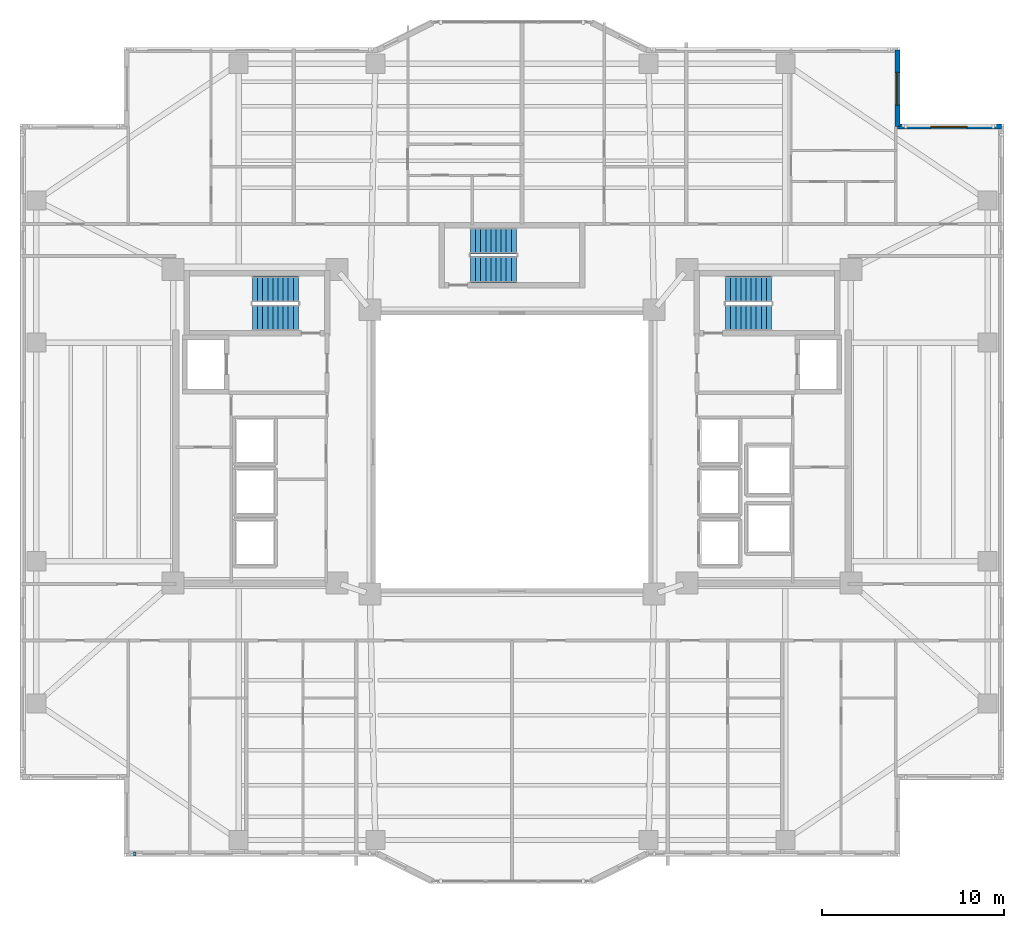
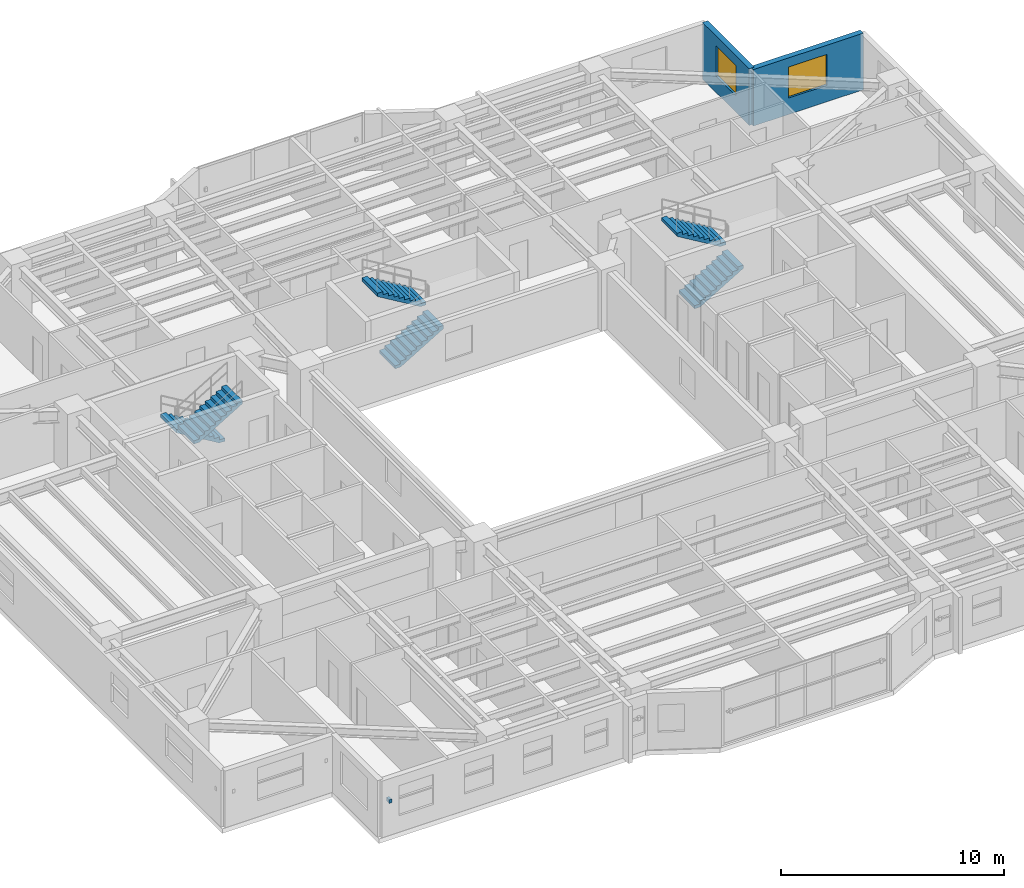
# One storey, part 11 of 18: 6 stair flights, 2 walls, 2 windows, 1 discrete accessory, 2 openings, 3 elements without a shape of their own.
"""IFC4 building model written with IfcOpenShell, lengths in metres."""

import ifcopenshell
import ifcopenshell.guid

model = None  # the IFC model being written
_history = None  # IfcOwnerHistory: only IFC2X3 demands one
_inside = {}  # id of a spatial element -> (the spatial element, [elements in it])
_under = {}  # id of a project, library or spatial element -> (it, [spatial elements below it])
_declared = {}  # id of a project -> (the project, [libraries it declares])
_typed = {}  # id of a type object -> (the type object, [elements of that type])
_made_of = {}  # id of a material, layer set ... -> (it, [elements and type objects made of it])


def new_model(schema):
    """Start an empty IFC model of exactly this schema.

    Asked for "IFC4X3", IfcOpenShell would pick the latest addendum, in which some entities
    have other attributes; the version numbers below select the first issue.
    IFC2X3 requires an IfcOwnerHistory on every rooted entity: one is made here for all.
    """
    global model, _history
    if schema == "IFC4X3":
        model = ifcopenshell.file(schema_version=(4, 3, 0, 0))
    else:
        model = ifcopenshell.file(schema=schema)
    _inside.clear()
    _under.clear()
    _declared.clear()
    _typed.clear()
    _made_of.clear()
    _history = None
    if model.schema == "IFC2X3":
        org = make("IfcOrganization", Name="unknown")
        user = make(
            "IfcPersonAndOrganization",
            ThePerson=make("IfcPerson", FamilyName="unknown"),
            TheOrganization=org,
        )
        app = make(
            "IfcApplication",
            ApplicationDeveloper=org,
            Version="unknown",
            ApplicationFullName="unknown",
            ApplicationIdentifier="unknown",
        )
        _history = make(
            "IfcOwnerHistory",
            OwningUser=user,
            OwningApplication=app,
            ChangeAction="ADDED",
            CreationDate=0,
        )
    return model


def make(cls, **values):
    """One entity of the class cls with the attributes given. An attribute that is None is left unset."""
    return model.create_entity(
        cls, **{name: value for name, value in values.items() if value is not None}
    )


def rooted(cls, **values):
    """An entity with a GlobalId (a new one), such as an element, a storey or a relation."""
    return make(cls, GlobalId=ifcopenshell.guid.new(), OwnerHistory=_history, **values)


def si_unit(unit_type, name, prefix=None):
    """IfcSIUnit, for example si_unit("LENGTHUNIT", "METRE", prefix="MILLI")."""
    return make("IfcSIUnit", UnitType=unit_type, Prefix=prefix, Name=name)


def assignment(units):
    """IfcUnitAssignment: the units of a project."""
    return None if units is None else make("IfcUnitAssignment", Units=units)


def point(xyz):
    """IfcCartesianPoint."""
    return None if xyz is None else make("IfcCartesianPoint", Coordinates=xyz)


def direction(xyz):
    """IfcDirection."""
    return None if xyz is None else make("IfcDirection", DirectionRatios=xyz)


def frame(location, z_axis=None, x_axis=None):
    """IfcAxis2Placement3D, a coordinate frame: its origin and axes. An axis left out is left unset."""
    return make(
        "IfcAxis2Placement3D",
        Location=point(location),
        Axis=direction(z_axis),
        RefDirection=direction(x_axis),
    )


def frame_2d(location, x_axis=None):
    """IfcAxis2Placement2D, a coordinate frame in the plane: its origin and x axis."""
    return make(
        "IfcAxis2Placement2D", Location=point(location), RefDirection=direction(x_axis)
    )


def origin():
    """The frame at (0, 0, 0) with its axes left unset."""
    return frame((0.0, 0.0, 0.0))


def origin_2d():
    """The frame at (0, 0) in the plane with its x axis left unset."""
    return frame_2d((0.0, 0.0))


def place(relative_to, where):
    """IfcLocalPlacement: puts the frame where relative to a parent placement (None: the world)."""
    return make(
        "IfcLocalPlacement", PlacementRelTo=relative_to, RelativePlacement=where
    )


def context(
    kind, dimensions, precision=None, world=None, true_north=None, identifier=None
):
    """IfcGeometricRepresentationContext, for example the 3D "Model" context."""
    return make(
        "IfcGeometricRepresentationContext",
        ContextIdentifier=identifier,
        ContextType=kind,
        CoordinateSpaceDimension=dimensions,
        Precision=precision,
        WorldCoordinateSystem=world,
        TrueNorth=true_north,
    )


def subcontext(parent, identifier, kind, view, scale=None):
    """IfcGeometricRepresentationSubContext, for example "Body" below "Model"."""
    return make(
        "IfcGeometricRepresentationSubContext",
        ContextIdentifier=identifier,
        ContextType=kind,
        ParentContext=parent,
        TargetScale=scale,
        TargetView=view,
    )


def project(units=None, contexts=None):
    """IfcProject with its units and contexts."""
    return rooted(
        "IfcProject",
        Name="project",
        RepresentationContexts=contexts,
        UnitsInContext=assignment(units),
    )


def spatial(cls, under=None, at=None, **own):
    """A site, building, storey or space (cls), placed at a placement, below another one or the project."""
    s = rooted(cls, ObjectPlacement=at, **own)
    if under is not None:
        _under.setdefault(under.id(), (under, []))[1].append(s)
    return s


def polyline(points):
    """IfcPolyline through the points."""
    return make("IfcPolyline", Points=[point(p) for p in points])


def profile(cls, at=None, kind="AREA", **sizes):
    """A parametric profile (cls). Its sizes go by their IFC names, for example OverallWidth=200.0."""
    return make(cls, ProfileType=kind, Position=at, **sizes)


def rectangle(**sizes):
    """IfcRectangleProfileDef."""
    return profile("IfcRectangleProfileDef", **sizes)


def outline(outer, holes=None, kind="AREA"):
    """IfcArbitraryClosedProfileDef: a profile drawn as a closed curve; with holes, ...WithVoids."""
    if holes is None:
        return make("IfcArbitraryClosedProfileDef", ProfileType=kind, OuterCurve=outer)
    return make(
        "IfcArbitraryProfileDefWithVoids",
        ProfileType=kind,
        OuterCurve=outer,
        InnerCurves=holes,
    )


def extrude(swept, where, along, depth):
    """IfcExtrudedAreaSolid: the profile swept, set in the frame where, extruded along a direction by depth."""
    return make(
        "IfcExtrudedAreaSolid",
        SweptArea=swept,
        Position=where,
        ExtrudedDirection=direction(along),
        Depth=depth,
    )


def shape(context_of_items, identifier, shape_type, items):
    """IfcShapeRepresentation: the items that make up one representation, for example the "Body"."""
    return make(
        "IfcShapeRepresentation",
        ContextOfItems=context_of_items,
        RepresentationIdentifier=identifier,
        RepresentationType=shape_type,
        Items=items,
    )


def material(Name=None, Category=None):
    """IfcMaterial."""
    return make("IfcMaterial", Name=Name, Category=Category)


def layer(
    of_material, thickness, ventilated=None, Name=None, Category=None, Priority=None
):
    """IfcMaterialLayer: one layer of a wall or slab, of a material (None: an air gap)."""
    return make(
        "IfcMaterialLayer",
        Material=of_material,
        LayerThickness=thickness,
        IsVentilated=ventilated,
        Name=Name,
        Category=Category,
        Priority=Priority,
    )


def layer_set(layers, Name=None):
    """IfcMaterialLayerSet."""
    return make("IfcMaterialLayerSet", MaterialLayers=layers, LayerSetName=Name)


def made_of(thing, what):
    """Note that an element or type object is made of a material, layer set ...; save() writes the relation."""
    if what is not None:
        _made_of.setdefault(what.id(), (what, []))[1].append(thing)
    return thing


def type_object(cls, material=None, **own):
    """A type object (cls), such as IfcWallType, which elements share."""
    return made_of(rooted(cls, **own), material)


def element(
    cls,
    number,
    at=None,
    inside=None,
    cuts=None,
    type_object=None,
    material=None,
    context=None,
    identifier="Body",
    shape_type=None,
    held_by="IfcProductDefinitionShape",
    body=None,
    shapes=None,
    **own,
):
    """One element of the class cls, such as IfcWall. Its Tag is "e" and its number.

    at: its placement. inside: the storey or other place that contains it. cuts: it is an
    opening in that element (IfcRelVoidsElement). A single representation is given by context,
    identifier, shape_type and body (its items); several are given by shapes. held_by: the class
    of the entity that holds the representations. save() writes the other relations.
    """
    e = rooted(cls, Tag="e%d" % number, ObjectPlacement=at, **own)
    if body is not None:
        shapes = [shape(context, identifier, shape_type, body)]
    if shapes is not None:
        e.Representation = make(held_by, Representations=shapes)
    if inside is not None:
        _inside.setdefault(inside.id(), (inside, []))[1].append(e)
    if cuts is not None:
        rooted(
            "IfcRelVoidsElement", RelatingBuildingElement=cuts, RelatedOpeningElement=e
        )
    if type_object is not None:
        _typed.setdefault(type_object.id(), (type_object, []))[1].append(e)
    return made_of(e, material)


def fill(opening, filler):
    """IfcRelFillsElement: the door or window that sits in an opening."""
    return rooted(
        "IfcRelFillsElement",
        RelatingOpeningElement=opening,
        RelatedBuildingElement=filler,
    )


def aggregate(whole, parts):
    """IfcRelAggregates: a whole, such as a stair, and the parts it consists of."""
    return rooted("IfcRelAggregates", RelatingObject=whole, RelatedObjects=parts)


def save(model, path):
    """Write the relations noted so far, then the file.

    IfcRelAggregates (storeys below a building ...), IfcRelContainedInSpatialStructure (elements
    in a storey), IfcRelDefinesByType, IfcRelAssociatesMaterial and IfcRelDeclares: one each for
    every whole, place, type object, material and project.
    """
    for whole, parts in _under.values():
        aggregate(whole, parts)
    for where, things in _inside.values():
        rooted(
            "IfcRelContainedInSpatialStructure",
            RelatedElements=things,
            RelatingStructure=where,
        )
    for kind, things in _typed.values():
        rooted("IfcRelDefinesByType", RelatedObjects=things, RelatingType=kind)
    for what, things in _made_of.values():
        rooted("IfcRelAssociatesMaterial", RelatedObjects=things, RelatingMaterial=what)
    for by, libraries in _declared.values():
        rooted("IfcRelDeclares", RelatingContext=by, RelatedDefinitions=libraries)
    model.write(path)


model = new_model("IFC4")

# Units and contexts
model_context = context("Model", 3, precision=1e-05, world=origin(), true_north=direction((0.0, 1.0)))
body_context = subcontext(model_context, "Body", "Model", "MODEL_VIEW")
ifc_project = project(units=[si_unit("LENGTHUNIT", "METRE"), si_unit("AREAUNIT", "SQUARE_METRE"), si_unit("VOLUMEUNIT", "CUBIC_METRE"), si_unit("PLANEANGLEUNIT", "RADIAN"), si_unit("MASSUNIT", "GRAM", prefix="KILO")], contexts=[model_context])

# Site, building, storey
site_placement = place(None, origin())
site = spatial("IfcSite", under=ifc_project, at=site_placement, CompositionType="ELEMENT")
building_placement = place(site_placement, origin())
building = spatial("IfcBuilding", under=site, at=building_placement, Name="Tarnavaz Court Tower", CompositionType="ELEMENT")
storey_placement = place(building_placement, frame((0.0, 0.0, 98.39990234375)))
storey = spatial("IfcBuildingStorey", under=building, at=storey_placement, Name="L26", CompositionType="ELEMENT", Elevation=98.39990234375)

# Wall, opening, window
ifc_material_1 = material(Name="Precast Concrete C40/50", Category="concrete")
ifc_layer = layer(ifc_material_1, 0.280029296875)
ifc_layer_set = layer_set([ifc_layer], Name="Precast Concrete C40/50")
wall_type = type_object("IfcWallType", Name="WL-EXT-280", PredefinedType="SOLIDWALL", material=ifc_layer_set)
wall_1_placement = place(storey_placement, frame((21.14990234375, 22.050048828125, 0.0), z_axis=(0.0, 0.0, 1.0), x_axis=(0.0, -1.0, 0.0)))
wall_1 = element("IfcWall", 1, at=wall_1_placement, inside=storey, type_object=wall_type, Name="L26 Exterior Terracotta Facade Wall 10", PredefinedType="SOLIDWALL", context=body_context, shape_type="SweptSolid", body=[
    extrude(rectangle(XDim=4.199951171875, YDim=0.280029296875, at=frame_2d((2.10009765625, 0.0))), origin(), (0.0, 0.0, 1.0), 3.10009765625),
])
opening_1_placement = place(wall_1_placement, frame((1.2177734375, 0.0, 0.89990234375)))
opening_1 = element("IfcOpeningElement", 2, at=opening_1_placement, cuts=wall_1, Name="Opening W01", PredefinedType="OPENING", context=body_context, shape_type="SweptSolid", body=[
    extrude(rectangle(XDim=1.800048828125, YDim=1.64990234375, at=frame_2d((0.89990234375, 0.824951171875))), frame((0.0, 0.14990234375, 0.0), z_axis=(0.0, -1.0, 0.0), x_axis=(1.0, 0.0, 0.0)), (0.0, 0.0, 1.0), 0.300048828125),
])
ifc_material_2 = material(Name="Double-Glazed Solar Low-E Glass", Category="glass")
window_type_1 = type_object("IfcWindowType", Name="WN-APT-1800", PartitioningType="DOUBLE_PANEL_VERTICAL", PredefinedType="WINDOW", material=ifc_material_2)
window_1_placement = place(opening_1_placement, origin())
window_1 = element("IfcWindow", 3, at=window_1_placement, inside=storey, type_object=window_type_1, Name="L26 Flat 04 Bedroom 1 Window", OverallHeight=1.64990234375, OverallWidth=1.800048828125, PartitioningType="SINGLE_PANEL", PredefinedType="WINDOW", context=body_context, shape_type="SweptSolid", body=[
    extrude(rectangle(XDim=1.800048828125, YDim=1.64990234375, at=frame_2d((0.89990234375, 0.824951171875))), frame((0.0, 0.030029296875, 0.0), z_axis=(0.0, -1.0, 0.0), x_axis=(1.0, 0.0, 0.0)), (0.0, 0.0, 1.0), 0.06005859375),
])
fill(opening_1, window_1)

wall_2_placement = place(storey_placement, frame((21.14990234375, 17.85009765625, 0.0), z_axis=(0.0, 0.0, 1.0), x_axis=(1.0, 0.0, 0.0)))
wall_2 = element("IfcWall", 4, at=wall_2_placement, inside=storey, type_object=wall_type, Name="L26 Exterior Terracotta Facade Wall 11", PredefinedType="SOLIDWALL", context=body_context, shape_type="SweptSolid", body=[
    extrude(rectangle(XDim=5.7001953125, YDim=0.280029296875, at=frame_2d((2.85009765625, 0.0))), origin(), (0.0, 0.0, 1.0), 3.10009765625),
])
opening_2_placement = place(wall_2_placement, frame((1.824951171875, 0.0, 0.89990234375)))
opening_2 = element("IfcOpeningElement", 5, at=opening_2_placement, cuts=wall_2, Name="Opening W08", PredefinedType="OPENING", context=body_context, shape_type="SweptSolid", body=[
    extrude(rectangle(XDim=2.0, YDim=1.699951171875, at=frame_2d((1.0, 0.85009765625))), frame((0.0, 0.14990234375, 0.0), z_axis=(0.0, -1.0, 0.0), x_axis=(1.0, 0.0, 0.0)), (0.0, 0.0, 1.0), 0.300048828125),
])
window_type_2 = type_object("IfcWindowType", Name="WN-APT-2000", PartitioningType="DOUBLE_PANEL_VERTICAL", PredefinedType="WINDOW", material=ifc_material_2)
window_2_placement = place(opening_2_placement, origin())
window_2 = element("IfcWindow", 6, at=window_2_placement, inside=storey, type_object=window_type_2, Name="L26 North-East Corner Sunroom Study Window", OverallHeight=1.699951171875, OverallWidth=2.0, PartitioningType="SINGLE_PANEL", PredefinedType="WINDOW", context=body_context, shape_type="SweptSolid", body=[
    extrude(rectangle(XDim=2.0, YDim=1.699951171875, at=frame_2d((1.0, 0.85009765625))), frame((0.0, 0.030029296875, 0.0), z_axis=(0.0, -1.0, 0.0), x_axis=(1.0, 0.0, 0.0)), (0.0, 0.0, 1.0), 0.06005859375),
])
fill(opening_2, window_2)

# Stair, stair flights
ifc_material_3 = material(Name="Concrete C40/50", Category="concrete")
stair_type = type_object("IfcStairType", Name="ST-TWR-20R", PredefinedType="HALF_TURN_STAIR", material=ifc_material_3)
stair_1_placement = place(storey_placement, origin())
stair_1 = element("IfcStair", 7, at=stair_1_placement, inside=storey, type_object=stair_type, Name="L26 West Core Pressurized Exit Stair ST-W1", PredefinedType="HALF_TURN_STAIR")
stair_flight_type = type_object("IfcStairFlightType", Name="SFL-RC-20R", PredefinedType="STRAIGHT", material=ifc_material_3)
stair_flight_1_placement = place(storey_placement, frame((-11.719970703125, 8.929931640625, 0.0), z_axis=(0.0, 0.0, 1.0), x_axis=(-1.0, 0.0, 0.0)))
stair_flight_1 = element("IfcStairFlight", 8, at=stair_flight_1_placement, type_object=stair_flight_type, Name="ST-W1 flight 1", NumberOfRisers=10, NumberOfTreads=9, PredefinedType="STRAIGHT", RiserHeight=0.1675, TreadLength=0.28, context=body_context, shape_type="SweptSolid", body=[
    extrude(outline(polyline([(0.0, 0.0), (0.0, 0.16748046875), (0.280029296875, 0.16748046875), (0.280029296875, 0.3349609375), (0.56005859375, 0.3349609375), (0.56005859375, 0.50244140625), (0.840087890625, 0.50244140625), (0.840087890625, 0.669921875), (1.1201171875, 0.669921875), (1.1201171875, 0.83740234375), (1.39990234375, 0.83740234375), (1.39990234375, 1.0048828125), (1.679931640625, 1.0048828125), (1.679931640625, 1.172607421875), (1.9599609375, 1.172607421875), (1.9599609375, 1.340087890625), (2.239990234375, 1.340087890625), (2.239990234375, 1.507568359375), (2.52001953125, 1.507568359375), (2.52001953125, 1.675048828125), (2.52001953125, 1.332763671875), (0.2919921875, 0.0), (0.0, 0.0)])), frame((0.0, 0.7099609375, 0.0), z_axis=(0.0, -1.0, 0.0), x_axis=(1.0, 0.0, 0.0)), (0.0, 0.0, 1.0), 1.419921875),
])
stair_flight_2_placement = place(storey_placement, frame((-14.239990234375, 7.360107421875, 1.675048828125), z_axis=(0.0, 0.0, 1.0), x_axis=(1.0, 0.0, 0.0)))
stair_flight_2 = element("IfcStairFlight", 9, at=stair_flight_2_placement, type_object=stair_flight_type, Name="ST-W1 flight 2", NumberOfRisers=10, NumberOfTreads=9, PredefinedType="STRAIGHT", RiserHeight=0.1675, TreadLength=0.28, context=body_context, shape_type="SweptSolid", body=[
    extrude(outline(polyline([(0.0, 0.0), (0.0, 0.16748046875), (0.280029296875, 0.16748046875), (0.280029296875, 0.3349609375), (0.56005859375, 0.3349609375), (0.56005859375, 0.50244140625), (0.840087890625, 0.50244140625), (0.840087890625, 0.669921875), (1.1201171875, 0.669921875), (1.1201171875, 0.83740234375), (1.39990234375, 0.83740234375), (1.39990234375, 1.0048828125), (1.679931640625, 1.0048828125), (1.679931640625, 1.172607421875), (1.9599609375, 1.172607421875), (1.9599609375, 1.340087890625), (2.239990234375, 1.340087890625), (2.239990234375, 1.507568359375), (2.52001953125, 1.507568359375), (2.52001953125, 1.675048828125), (2.52001953125, 1.332763671875), (0.2919921875, 0.0), (0.0, 0.0)])), frame((0.0, 0.7099609375, 0.0), z_axis=(0.0, -1.0, 0.0), x_axis=(1.0, 0.0, 0.0)), (0.0, 0.0, 1.0), 1.419921875),
])
aggregate(stair_1, [stair_flight_1, stair_flight_2])

stair_2_placement = place(storey_placement, origin())
stair_2 = element("IfcStair", 10, at=stair_2_placement, inside=storey, type_object=stair_type, Name="L26 East Core Pressurized Exit Stair ST-E1", PredefinedType="HALF_TURN_STAIR")
stair_flight_3_placement = place(storey_placement, frame((11.719970703125, 7.360107421875, 0.0), z_axis=(0.0, 0.0, 1.0), x_axis=(1.0, 0.0, 0.0)))
stair_flight_3 = element("IfcStairFlight", 11, at=stair_flight_3_placement, type_object=stair_flight_type, Name="ST-E1 flight 1", NumberOfRisers=10, NumberOfTreads=9, PredefinedType="STRAIGHT", RiserHeight=0.1675, TreadLength=0.28, context=body_context, shape_type="SweptSolid", body=[
    extrude(outline(polyline([(0.0, 0.0), (0.0, 0.16748046875), (0.280029296875, 0.16748046875), (0.280029296875, 0.3349609375), (0.56005859375, 0.3349609375), (0.56005859375, 0.50244140625), (0.840087890625, 0.50244140625), (0.840087890625, 0.669921875), (1.1201171875, 0.669921875), (1.1201171875, 0.83740234375), (1.39990234375, 0.83740234375), (1.39990234375, 1.0048828125), (1.679931640625, 1.0048828125), (1.679931640625, 1.172607421875), (1.9599609375, 1.172607421875), (1.9599609375, 1.340087890625), (2.239990234375, 1.340087890625), (2.239990234375, 1.507568359375), (2.52001953125, 1.507568359375), (2.52001953125, 1.675048828125), (2.52001953125, 1.332763671875), (0.2919921875, 0.0), (0.0, 0.0)])), frame((0.0, 0.7099609375, 0.0), z_axis=(0.0, -1.0, 0.0), x_axis=(1.0, 0.0, 0.0)), (0.0, 0.0, 1.0), 1.419921875),
])
stair_flight_4_placement = place(storey_placement, frame((14.239990234375, 8.929931640625, 1.675048828125), z_axis=(0.0, 0.0, 1.0), x_axis=(-1.0, 0.0, 0.0)))
stair_flight_4 = element("IfcStairFlight", 12, at=stair_flight_4_placement, type_object=stair_flight_type, Name="ST-E1 flight 2", NumberOfRisers=10, NumberOfTreads=9, PredefinedType="STRAIGHT", RiserHeight=0.1675, TreadLength=0.28, context=body_context, shape_type="SweptSolid", body=[
    extrude(outline(polyline([(0.0, 0.0), (0.0, 0.16748046875), (0.280029296875, 0.16748046875), (0.280029296875, 0.3349609375), (0.56005859375, 0.3349609375), (0.56005859375, 0.50244140625), (0.840087890625, 0.50244140625), (0.840087890625, 0.669921875), (1.1201171875, 0.669921875), (1.1201171875, 0.83740234375), (1.39990234375, 0.83740234375), (1.39990234375, 1.0048828125), (1.679931640625, 1.0048828125), (1.679931640625, 1.172607421875), (1.9599609375, 1.172607421875), (1.9599609375, 1.340087890625), (2.239990234375, 1.340087890625), (2.239990234375, 1.507568359375), (2.52001953125, 1.507568359375), (2.52001953125, 1.675048828125), (2.52001953125, 1.332763671875), (0.2919921875, 0.0), (0.0, 0.0)])), frame((0.0, 0.7099609375, 0.0), z_axis=(0.0, -1.0, 0.0), x_axis=(1.0, 0.0, 0.0)), (0.0, 0.0, 1.0), 1.419921875),
])
aggregate(stair_2, [stair_flight_3, stair_flight_4])

stair_3_placement = place(storey_placement, origin())
stair_3 = element("IfcStair", 13, at=stair_3_placement, inside=storey, type_object=stair_type, Name="L26 North Ring Pressurized Exit Stair ST-N1", PredefinedType="HALF_TURN_STAIR")
stair_flight_5_placement = place(storey_placement, frame((-2.280029296875, 10.010009765625, 0.0), z_axis=(0.0, 0.0, 1.0), x_axis=(1.0, 0.0, 0.0)))
stair_flight_5 = element("IfcStairFlight", 14, at=stair_flight_5_placement, type_object=stair_flight_type, Name="ST-N1 flight 1", NumberOfRisers=10, NumberOfTreads=9, PredefinedType="STRAIGHT", RiserHeight=0.1675, TreadLength=0.28, context=body_context, shape_type="SweptSolid", body=[
    extrude(outline(polyline([(0.0, 0.0), (0.0, 0.16748046875), (0.280029296875, 0.16748046875), (0.280029296875, 0.3349609375), (0.56005859375, 0.3349609375), (0.56005859375, 0.50244140625), (0.840087890625, 0.50244140625), (0.840087890625, 0.669921875), (1.1201171875, 0.669921875), (1.1201171875, 0.83740234375), (1.39990234375, 0.83740234375), (1.39990234375, 1.0048828125), (1.679931640625, 1.0048828125), (1.679931640625, 1.172607421875), (1.9599609375, 1.172607421875), (1.9599609375, 1.340087890625), (2.239990234375, 1.340087890625), (2.239990234375, 1.507568359375), (2.52001953125, 1.507568359375), (2.52001953125, 1.675048828125), (2.52001953125, 1.332763671875), (0.2919921875, 0.0), (0.0, 0.0)])), frame((0.0, 0.7099609375, 0.0), z_axis=(0.0, -1.0, 0.0), x_axis=(1.0, 0.0, 0.0)), (0.0, 0.0, 1.0), 1.419921875),
])
stair_flight_6_placement = place(storey_placement, frame((0.239990234375, 11.580078125, 1.675048828125), z_axis=(0.0, 0.0, 1.0), x_axis=(-1.0, 0.0, 0.0)))
stair_flight_6 = element("IfcStairFlight", 15, at=stair_flight_6_placement, type_object=stair_flight_type, Name="ST-N1 flight 2", NumberOfRisers=10, NumberOfTreads=9, PredefinedType="STRAIGHT", RiserHeight=0.1675, TreadLength=0.28, context=body_context, shape_type="SweptSolid", body=[
    extrude(outline(polyline([(0.0, 0.0), (0.0, 0.16748046875), (0.280029296875, 0.16748046875), (0.280029296875, 0.3349609375), (0.56005859375, 0.3349609375), (0.56005859375, 0.50244140625), (0.840087890625, 0.50244140625), (0.840087890625, 0.669921875), (1.1201171875, 0.669921875), (1.1201171875, 0.83740234375), (1.39990234375, 0.83740234375), (1.39990234375, 1.0048828125), (1.679931640625, 1.0048828125), (1.679931640625, 1.172607421875), (1.9599609375, 1.172607421875), (1.9599609375, 1.340087890625), (2.239990234375, 1.340087890625), (2.239990234375, 1.507568359375), (2.52001953125, 1.507568359375), (2.52001953125, 1.675048828125), (2.52001953125, 1.332763671875), (0.2919921875, 0.0), (0.0, 0.0)])), frame((0.0, 0.7099609375, 0.0), z_axis=(0.0, -1.0, 0.0), x_axis=(1.0, 0.0, 0.0)), (0.0, 0.0, 1.0), 1.419921875),
])
aggregate(stair_3, [stair_flight_5, stair_flight_6])

# Discrete accessory
ifc_material_4 = material(Name="Anodised Aluminium 6063-T6", Category="aluminium")
discrete_accessory_type = type_object("IfcDiscreteAccessoryType", Name="DA-BRKT-ALU", PredefinedType="BRACKET", material=ifc_material_4)
discrete_accessory_placement = place(storey_placement, frame((-20.699951171875, -22.070068359375, 1.75), z_axis=(0.0, 0.0, 1.0), x_axis=(-1.0, 0.0, 0.0)))
element("IfcDiscreteAccessory", 16, at=discrete_accessory_placement, inside=storey, type_object=discrete_accessory_type, Name="L26 Baguette Outrigger Bracket FBG19-2", PredefinedType="BRACKET", context=body_context, shape_type="SweptSolid", body=[
    extrude(rectangle(XDim=0.139892578125, YDim=0.239990234375, at=origin_2d()), origin(), (0.0, 0.0, 1.0), 0.199951171875),
])

save(model, "model.ifc")
